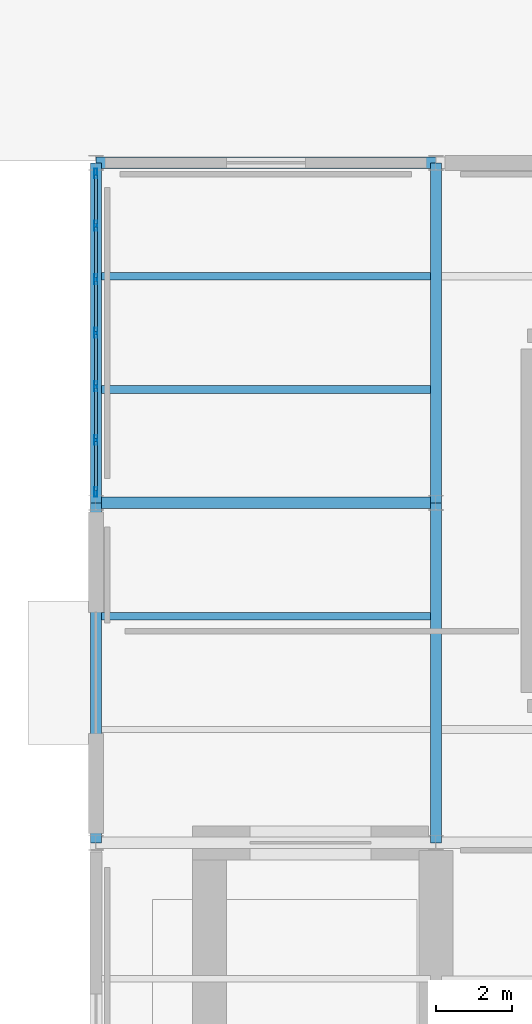
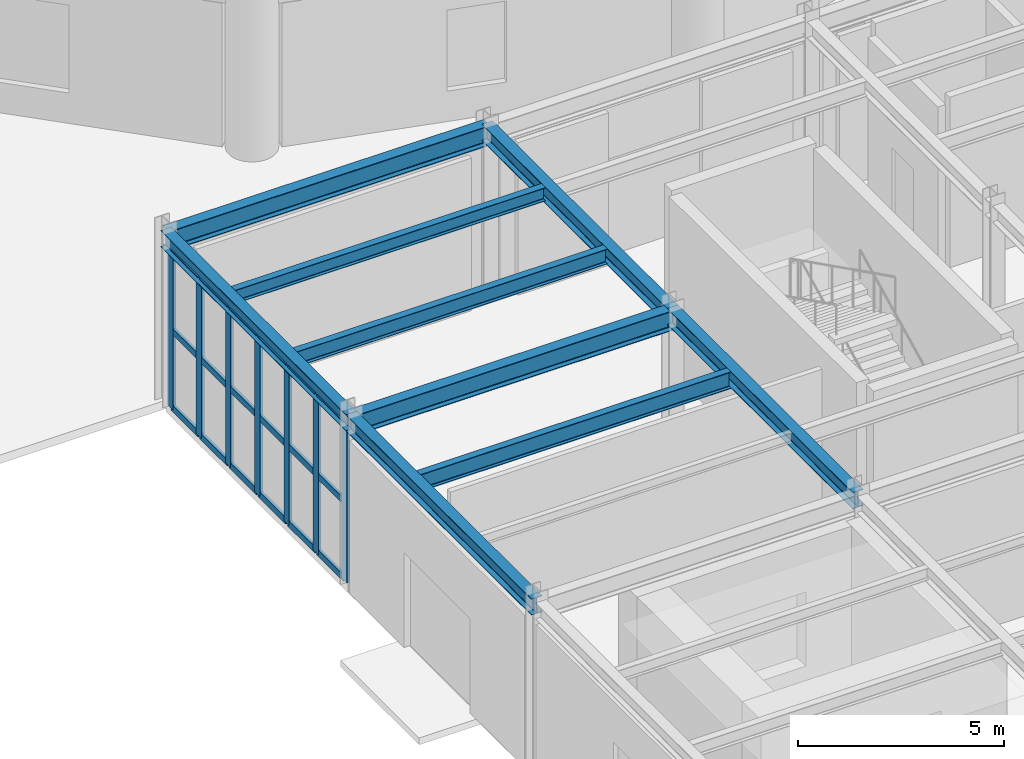
# One storey, part 29 of 140: 25 members, 9 beams, 1 element without a shape of its own.
"""IFC4 building model written with IfcOpenShell, lengths in metres."""

from ifc_helpers import new_model, si_unit, direction, frame, origin, origin_2d, place, context, subcontext, project, spatial, hollow_rectangle, i_section, extrude, material, material_profile, profile_set, type_object, element, aggregate, save


model = new_model("IFC4")

# Units and contexts
model_context = context("Model", 3, precision=1e-05, world=origin(), true_north=direction((0.0, 1.0)))
body_context = subcontext(model_context, "Body", "Model", "MODEL_VIEW")
ifc_project = project(units=[si_unit("LENGTHUNIT", "METRE"), si_unit("AREAUNIT", "SQUARE_METRE"), si_unit("VOLUMEUNIT", "CUBIC_METRE"), si_unit("PLANEANGLEUNIT", "RADIAN"), si_unit("MASSUNIT", "GRAM", prefix="KILO")], contexts=[model_context])

# Site, building, storey
site_placement = place(None, origin())
site = spatial("IfcSite", under=ifc_project, at=site_placement, CompositionType="ELEMENT")
building_placement = place(site_placement, origin())
building = spatial("IfcBuilding", under=site, at=building_placement, Name="Haizhuo Lancet Aquarium", CompositionType="ELEMENT")
storey_placement = place(building_placement, origin())
storey = spatial("IfcBuildingStorey", under=building, at=storey_placement, Name="L00", CompositionType="ELEMENT", Elevation=0.0)

# Beams
ifc_material_1 = material(Name="Steel S355", Category="steel")
ifc_material_profile_1 = material_profile(ifc_material_1, i_section(OverallWidth=0.300048828125, OverallDepth=0.488037109375, WebThickness=0.010986328125, FlangeThickness=0.01806640625, FilletRadius=0.02392578125, at=origin_2d()), Name="HM 488x300x11x18")
ifc_profile_set_1 = profile_set([ifc_material_profile_1], Name="Steel S355")
beam_type_1 = type_object("IfcBeamType", Name="BM-ST-HM488", PredefinedType="BEAM", material=ifc_profile_set_1)
for number, where, z_axis, x_axis, name in (
    (1, (-18.0, -45.0, 4.8759765625), (0.0, 1.0, 0.0), (-1.0, 0.0, 0.0), "L00 V4 primary girder BM-L00-V4-003"),
    (2, (-18.0, -36.0, 4.8759765625), (0.0, 1.0, 0.0), (-1.0, 0.0, 0.0), "L00 V4 primary girder BM-L00-V4-005"),
    (3, (-9.0, -45.0, 4.8759765625), (0.0, 1.0, 0.0), (-1.0, 0.0, 0.0), "L00 V4 primary girder BM-L00-V4-009"),
    (4, (-9.0, -36.0, 4.8759765625), (0.0, 1.0, 0.0), (-1.0, 0.0, 0.0), "L00 V4 primary girder BM-L00-V4-011"),
):
    element("IfcBeam", number, at=place(storey_placement, frame(where, z_axis=z_axis, x_axis=x_axis)), inside=storey, type_object=beam_type_1, Name=name, PredefinedType="BEAM", context=body_context, shape_type="SweptSolid", body=[
        extrude(i_section(OverallWidth=0.300048828125, OverallDepth=0.488037109375, WebThickness=0.010986328125, FlangeThickness=0.01806640625, FilletRadius=0.02392578125, at=origin_2d()), origin(), (0.0, 0.0, 1.0), 9.0),
    ])
ifc_material_profile_2 = material_profile(ifc_material_1, i_section(OverallWidth=0.300048828125, OverallDepth=0.587890625, WebThickness=0.011962890625, FlangeThickness=0.02001953125, FilletRadius=0.02587890625, at=origin_2d()), Name="HM 588x300x12x20")
ifc_profile_set_2 = profile_set([ifc_material_profile_2], Name="Steel S355")
beam_type_2 = type_object("IfcBeamType", Name="BM-ST-HM588", PredefinedType="BEAM", material=ifc_profile_set_2)
for number, where, z_axis, x_axis, name in (
    (5, (-18.0, -36.0, 4.825927734375), (1.0, 0.0, 0.0), (0.0, 1.0, 0.0), "L00 V4 primary girder BM-L00-V4-006"),
    (6, (-18.0, -27.0, 4.825927734375), (1.0, 0.0, 0.0), (0.0, 1.0, 0.0), "L00 V4 primary girder BM-L00-V4-007"),
):
    element("IfcBeam", number, at=place(storey_placement, frame(where, z_axis=z_axis, x_axis=x_axis)), inside=storey, type_object=beam_type_2, Name=name, PredefinedType="BEAM", context=body_context, shape_type="SweptSolid", body=[
        extrude(i_section(OverallWidth=0.300048828125, OverallDepth=0.587890625, WebThickness=0.011962890625, FlangeThickness=0.02001953125, FilletRadius=0.02587890625, at=origin_2d()), origin(), (0.0, 0.0, 1.0), 9.0),
    ])

# Curtain wall, members
ifc_material_2 = material(Name="Aluminium 6063-T6", Category="aluminium")
curtain_wall_type = type_object("IfcCurtainWallType", Name="CWO-8510x4630", PredefinedType="NOTDEFINED", material=ifc_material_2)
curtain_wall_placement = place(storey_placement, origin())
curtain_wall = element("IfcCurtainWall", 7, at=curtain_wall_placement, inside=storey, type_object=curtain_wall_type, Name="L00 curtain wall CW-V4-L00-090", PredefinedType="NOTDEFINED")
ifc_material_profile_3 = material_profile(ifc_material_2, hollow_rectangle(XDim=0.080078125, YDim=0.260009765625, WallThickness=0.0048828125, at=origin_2d()), Name="ALU-M 80x260x5")
ifc_profile_set_3 = profile_set([ifc_material_profile_3], Name="Aluminium 6063-T6")
member_type_1 = type_object("IfcMemberType", Name="CW-MUL-3", PredefinedType="MULLION", material=ifc_profile_set_3)
member_1_placement = place(storey_placement, frame((-18.0, -35.715087890625, 0.0), z_axis=(0.0, 0.0, 1.0), x_axis=(-1.0, 0.0, 0.0)))
member_1 = element("IfcMember", 8, at=member_1_placement, type_object=member_type_1, Name="CWO-85x46 mullion 1", PredefinedType="MULLION", context=body_context, shape_type="SweptSolid", body=[
    extrude(hollow_rectangle(XDim=0.080078125, YDim=0.260009765625, WallThickness=0.0048828125, at=origin_2d()), origin(), (0.0, 0.0, 1.0), 4.632080078125),
])
member_2_placement = place(storey_placement, frame((-18.0, -34.3369140625, 0.0), z_axis=(0.0, 0.0, 1.0), x_axis=(-1.0, 0.0, 0.0)))
member_2 = element("IfcMember", 9, at=member_2_placement, type_object=member_type_1, Name="CWO-85x46 mullion 2", PredefinedType="MULLION", context=body_context, shape_type="SweptSolid", body=[
    extrude(hollow_rectangle(XDim=0.080078125, YDim=0.260009765625, WallThickness=0.0048828125, at=origin_2d()), origin(), (0.0, 0.0, 1.0), 4.632080078125),
])
member_3_placement = place(storey_placement, frame((-18.0, -32.91796875, 0.0), z_axis=(0.0, 0.0, 1.0), x_axis=(-1.0, 0.0, 0.0)))
member_3 = element("IfcMember", 10, at=member_3_placement, type_object=member_type_1, Name="CWO-85x46 mullion 3", PredefinedType="MULLION", context=body_context, shape_type="SweptSolid", body=[
    extrude(hollow_rectangle(XDim=0.080078125, YDim=0.260009765625, WallThickness=0.0048828125, at=origin_2d()), origin(), (0.0, 0.0, 1.0), 4.632080078125),
])
member_4_placement = place(storey_placement, frame((-18.0, -31.5, 0.0), z_axis=(0.0, 0.0, 1.0), x_axis=(-1.0, 0.0, 0.0)))
member_4 = element("IfcMember", 11, at=member_4_placement, type_object=member_type_1, Name="CWO-85x46 mullion 4", PredefinedType="MULLION", context=body_context, shape_type="SweptSolid", body=[
    extrude(hollow_rectangle(XDim=0.080078125, YDim=0.260009765625, WallThickness=0.0048828125, at=origin_2d()), origin(), (0.0, 0.0, 1.0), 4.632080078125),
])
member_5_placement = place(storey_placement, frame((-18.0, -30.08203125, 0.0), z_axis=(0.0, 0.0, 1.0), x_axis=(-1.0, 0.0, 0.0)))
member_5 = element("IfcMember", 12, at=member_5_placement, type_object=member_type_1, Name="CWO-85x46 mullion 5", PredefinedType="MULLION", context=body_context, shape_type="SweptSolid", body=[
    extrude(hollow_rectangle(XDim=0.080078125, YDim=0.260009765625, WallThickness=0.0048828125, at=origin_2d()), origin(), (0.0, 0.0, 1.0), 4.632080078125),
])
member_6_placement = place(storey_placement, frame((-18.0, -28.6630859375, 0.0), z_axis=(0.0, 0.0, 1.0), x_axis=(-1.0, 0.0, 0.0)))
member_6 = element("IfcMember", 13, at=member_6_placement, type_object=member_type_1, Name="CWO-85x46 mullion 6", PredefinedType="MULLION", context=body_context, shape_type="SweptSolid", body=[
    extrude(hollow_rectangle(XDim=0.080078125, YDim=0.260009765625, WallThickness=0.0048828125, at=origin_2d()), origin(), (0.0, 0.0, 1.0), 4.632080078125),
])
member_7_placement = place(storey_placement, frame((-18.0, -27.284912109375, 0.0), z_axis=(0.0, 0.0, 1.0), x_axis=(-1.0, 0.0, 0.0)))
member_7 = element("IfcMember", 14, at=member_7_placement, type_object=member_type_1, Name="CWO-85x46 mullion 7", PredefinedType="MULLION", context=body_context, shape_type="SweptSolid", body=[
    extrude(hollow_rectangle(XDim=0.080078125, YDim=0.260009765625, WallThickness=0.0048828125, at=origin_2d()), origin(), (0.0, 0.0, 1.0), 4.632080078125),
])
ifc_material_profile_4 = material_profile(ifc_material_2, hollow_rectangle(XDim=0.080078125, YDim=0.18994140625, WallThickness=0.0048828125, at=origin_2d()), Name="ALU-T 80x190x5")
ifc_profile_set_4 = profile_set([ifc_material_profile_4], Name="Aluminium 6063-T6")
member_type_2 = type_object("IfcMemberType", Name="CW-TRN-3", PredefinedType="NOTDEFINED", material=ifc_profile_set_4)
member_8_placement = place(storey_placement, frame((-18.0, -35.675048828125, 0.0400390625), z_axis=(0.0, 1.0, 0.0), x_axis=(-1.0, 0.0, 0.0)))
member_8 = element("IfcMember", 15, at=member_8_placement, type_object=member_type_2, Name="CWO-85x46 transom 1.1", ObjectType="TRANSOM", PredefinedType="USERDEFINED", context=body_context, shape_type="SweptSolid", body=[
    extrude(hollow_rectangle(XDim=0.080078125, YDim=0.18994140625, WallThickness=0.0048828125, at=origin_2d()), origin(), (0.0, 0.0, 1.0), 1.298095703125),
])
member_9_placement = place(storey_placement, frame((-18.0, -35.675048828125, 2.31591796875), z_axis=(0.0, 1.0, 0.0), x_axis=(-1.0, 0.0, 0.0)))
member_9 = element("IfcMember", 16, at=member_9_placement, type_object=member_type_2, Name="CWO-85x46 transom 1.2", ObjectType="TRANSOM", PredefinedType="USERDEFINED", context=body_context, shape_type="SweptSolid", body=[
    extrude(hollow_rectangle(XDim=0.080078125, YDim=0.18994140625, WallThickness=0.0048828125, at=origin_2d()), origin(), (0.0, 0.0, 1.0), 1.298095703125),
])
member_10_placement = place(storey_placement, frame((-18.0, -35.675048828125, 4.592041015625), z_axis=(0.0, 1.0, 0.0), x_axis=(-1.0, 0.0, 0.0)))
member_10 = element("IfcMember", 17, at=member_10_placement, type_object=member_type_2, Name="CWO-85x46 transom 1.3", ObjectType="TRANSOM", PredefinedType="USERDEFINED", context=body_context, shape_type="SweptSolid", body=[
    extrude(hollow_rectangle(XDim=0.080078125, YDim=0.18994140625, WallThickness=0.0048828125, at=origin_2d()), origin(), (0.0, 0.0, 1.0), 1.298095703125),
])
member_11_placement = place(storey_placement, frame((-18.0, -34.297119140625, 0.0400390625), z_axis=(0.0, 1.0, 0.0), x_axis=(-1.0, 0.0, 0.0)))
member_11 = element("IfcMember", 18, at=member_11_placement, type_object=member_type_2, Name="CWO-85x46 transom 2.1", ObjectType="TRANSOM", PredefinedType="USERDEFINED", context=body_context, shape_type="SweptSolid", body=[
    extrude(hollow_rectangle(XDim=0.080078125, YDim=0.18994140625, WallThickness=0.0048828125, at=origin_2d()), origin(), (0.0, 0.0, 1.0), 1.339111328125),
])
member_12_placement = place(storey_placement, frame((-18.0, -34.297119140625, 2.31591796875), z_axis=(0.0, 1.0, 0.0), x_axis=(-1.0, 0.0, 0.0)))
member_12 = element("IfcMember", 19, at=member_12_placement, type_object=member_type_2, Name="CWO-85x46 transom 2.2", ObjectType="TRANSOM", PredefinedType="USERDEFINED", context=body_context, shape_type="SweptSolid", body=[
    extrude(hollow_rectangle(XDim=0.080078125, YDim=0.18994140625, WallThickness=0.0048828125, at=origin_2d()), origin(), (0.0, 0.0, 1.0), 1.339111328125),
])
member_13_placement = place(storey_placement, frame((-18.0, -34.297119140625, 4.592041015625), z_axis=(0.0, 1.0, 0.0), x_axis=(-1.0, 0.0, 0.0)))
member_13 = element("IfcMember", 20, at=member_13_placement, type_object=member_type_2, Name="CWO-85x46 transom 2.3", ObjectType="TRANSOM", PredefinedType="USERDEFINED", context=body_context, shape_type="SweptSolid", body=[
    extrude(hollow_rectangle(XDim=0.080078125, YDim=0.18994140625, WallThickness=0.0048828125, at=origin_2d()), origin(), (0.0, 0.0, 1.0), 1.339111328125),
])
member_14_placement = place(storey_placement, frame((-18.0, -32.8779296875, 0.0400390625), z_axis=(0.0, 1.0, 0.0), x_axis=(-1.0, 0.0, 0.0)))
member_14 = element("IfcMember", 21, at=member_14_placement, type_object=member_type_2, Name="CWO-85x46 transom 3.1", ObjectType="TRANSOM", PredefinedType="USERDEFINED", context=body_context, shape_type="SweptSolid", body=[
    extrude(hollow_rectangle(XDim=0.080078125, YDim=0.18994140625, WallThickness=0.0048828125, at=origin_2d()), origin(), (0.0, 0.0, 1.0), 1.337890625),
])
member_15_placement = place(storey_placement, frame((-18.0, -32.8779296875, 2.31591796875), z_axis=(0.0, 1.0, 0.0), x_axis=(-1.0, 0.0, 0.0)))
member_15 = element("IfcMember", 22, at=member_15_placement, type_object=member_type_2, Name="CWO-85x46 transom 3.2", ObjectType="TRANSOM", PredefinedType="USERDEFINED", context=body_context, shape_type="SweptSolid", body=[
    extrude(hollow_rectangle(XDim=0.080078125, YDim=0.18994140625, WallThickness=0.0048828125, at=origin_2d()), origin(), (0.0, 0.0, 1.0), 1.337890625),
])
member_16_placement = place(storey_placement, frame((-18.0, -32.8779296875, 4.592041015625), z_axis=(0.0, 1.0, 0.0), x_axis=(-1.0, 0.0, 0.0)))
member_16 = element("IfcMember", 23, at=member_16_placement, type_object=member_type_2, Name="CWO-85x46 transom 3.3", ObjectType="TRANSOM", PredefinedType="USERDEFINED", context=body_context, shape_type="SweptSolid", body=[
    extrude(hollow_rectangle(XDim=0.080078125, YDim=0.18994140625, WallThickness=0.0048828125, at=origin_2d()), origin(), (0.0, 0.0, 1.0), 1.337890625),
])
member_17_placement = place(storey_placement, frame((-18.0, -31.4599609375, 0.0400390625), z_axis=(0.0, 1.0, 0.0), x_axis=(-1.0, 0.0, 0.0)))
member_17 = element("IfcMember", 24, at=member_17_placement, type_object=member_type_2, Name="CWO-85x46 transom 4.1", ObjectType="TRANSOM", PredefinedType="USERDEFINED", context=body_context, shape_type="SweptSolid", body=[
    extrude(hollow_rectangle(XDim=0.080078125, YDim=0.18994140625, WallThickness=0.0048828125, at=origin_2d()), origin(), (0.0, 0.0, 1.0), 1.337890625),
])
member_18_placement = place(storey_placement, frame((-18.0, -31.4599609375, 2.31591796875), z_axis=(0.0, 1.0, 0.0), x_axis=(-1.0, 0.0, 0.0)))
member_18 = element("IfcMember", 25, at=member_18_placement, type_object=member_type_2, Name="CWO-85x46 transom 4.2", ObjectType="TRANSOM", PredefinedType="USERDEFINED", context=body_context, shape_type="SweptSolid", body=[
    extrude(hollow_rectangle(XDim=0.080078125, YDim=0.18994140625, WallThickness=0.0048828125, at=origin_2d()), origin(), (0.0, 0.0, 1.0), 1.337890625),
])
member_19_placement = place(storey_placement, frame((-18.0, -31.4599609375, 4.592041015625), z_axis=(0.0, 1.0, 0.0), x_axis=(-1.0, 0.0, 0.0)))
member_19 = element("IfcMember", 26, at=member_19_placement, type_object=member_type_2, Name="CWO-85x46 transom 4.3", ObjectType="TRANSOM", PredefinedType="USERDEFINED", context=body_context, shape_type="SweptSolid", body=[
    extrude(hollow_rectangle(XDim=0.080078125, YDim=0.18994140625, WallThickness=0.0048828125, at=origin_2d()), origin(), (0.0, 0.0, 1.0), 1.337890625),
])
member_20_placement = place(storey_placement, frame((-18.0, -30.0419921875, 0.0400390625), z_axis=(0.0, 1.0, 0.0), x_axis=(-1.0, 0.0, 0.0)))
member_20 = element("IfcMember", 27, at=member_20_placement, type_object=member_type_2, Name="CWO-85x46 transom 5.1", ObjectType="TRANSOM", PredefinedType="USERDEFINED", context=body_context, shape_type="SweptSolid", body=[
    extrude(hollow_rectangle(XDim=0.080078125, YDim=0.18994140625, WallThickness=0.0048828125, at=origin_2d()), origin(), (0.0, 0.0, 1.0), 1.339111328125),
])
member_21_placement = place(storey_placement, frame((-18.0, -30.0419921875, 2.31591796875), z_axis=(0.0, 1.0, 0.0), x_axis=(-1.0, 0.0, 0.0)))
member_21 = element("IfcMember", 28, at=member_21_placement, type_object=member_type_2, Name="CWO-85x46 transom 5.2", ObjectType="TRANSOM", PredefinedType="USERDEFINED", context=body_context, shape_type="SweptSolid", body=[
    extrude(hollow_rectangle(XDim=0.080078125, YDim=0.18994140625, WallThickness=0.0048828125, at=origin_2d()), origin(), (0.0, 0.0, 1.0), 1.339111328125),
])
member_22_placement = place(storey_placement, frame((-18.0, -30.0419921875, 4.592041015625), z_axis=(0.0, 1.0, 0.0), x_axis=(-1.0, 0.0, 0.0)))
member_22 = element("IfcMember", 29, at=member_22_placement, type_object=member_type_2, Name="CWO-85x46 transom 5.3", ObjectType="TRANSOM", PredefinedType="USERDEFINED", context=body_context, shape_type="SweptSolid", body=[
    extrude(hollow_rectangle(XDim=0.080078125, YDim=0.18994140625, WallThickness=0.0048828125, at=origin_2d()), origin(), (0.0, 0.0, 1.0), 1.339111328125),
])
member_23_placement = place(storey_placement, frame((-18.0, -28.623046875, 0.0400390625), z_axis=(0.0, 1.0, 0.0), x_axis=(-1.0, 0.0, 0.0)))
member_23 = element("IfcMember", 30, at=member_23_placement, type_object=member_type_2, Name="CWO-85x46 transom 6.1", ObjectType="TRANSOM", PredefinedType="USERDEFINED", context=body_context, shape_type="SweptSolid", body=[
    extrude(hollow_rectangle(XDim=0.080078125, YDim=0.18994140625, WallThickness=0.0048828125, at=origin_2d()), origin(), (0.0, 0.0, 1.0), 1.298095703125),
])
member_24_placement = place(storey_placement, frame((-18.0, -28.623046875, 2.31591796875), z_axis=(0.0, 1.0, 0.0), x_axis=(-1.0, 0.0, 0.0)))
member_24 = element("IfcMember", 31, at=member_24_placement, type_object=member_type_2, Name="CWO-85x46 transom 6.2", ObjectType="TRANSOM", PredefinedType="USERDEFINED", context=body_context, shape_type="SweptSolid", body=[
    extrude(hollow_rectangle(XDim=0.080078125, YDim=0.18994140625, WallThickness=0.0048828125, at=origin_2d()), origin(), (0.0, 0.0, 1.0), 1.298095703125),
])
member_25_placement = place(storey_placement, frame((-18.0, -28.623046875, 4.592041015625), z_axis=(0.0, 1.0, 0.0), x_axis=(-1.0, 0.0, 0.0)))
member_25 = element("IfcMember", 32, at=member_25_placement, type_object=member_type_2, Name="CWO-85x46 transom 6.3", ObjectType="TRANSOM", PredefinedType="USERDEFINED", context=body_context, shape_type="SweptSolid", body=[
    extrude(hollow_rectangle(XDim=0.080078125, YDim=0.18994140625, WallThickness=0.0048828125, at=origin_2d()), origin(), (0.0, 0.0, 1.0), 1.298095703125),
])
aggregate(curtain_wall, [member_1, member_2, member_3, member_4, member_5, member_6, member_7, member_8, member_9, member_10, member_11, member_12, member_13, member_14, member_15, member_16, member_17, member_18, member_19, member_20, member_21, member_22, member_23, member_24, member_25])

# Beams
ifc_material_profile_5 = material_profile(ifc_material_1, i_section(OverallWidth=0.199951171875, OverallDepth=0.39990234375, WebThickness=0.008056640625, FlangeThickness=0.012939453125, FilletRadius=0.01611328125, at=origin_2d()), Name="HN 400x200x8x13")
ifc_profile_set_5 = profile_set([ifc_material_profile_5], Name="Steel S355")
beam_type_3 = type_object("IfcBeamType", Name="JST-ST-HN400", PredefinedType="JOIST", material=ifc_profile_set_5)
beam_1_placement = place(storey_placement, frame((-17.85009765625, -30.0, 4.919921875), z_axis=(1.0, 0.0, 0.0), x_axis=(0.0, 1.0, 0.0)))
element("IfcBeam", 33, at=beam_1_placement, inside=storey, type_object=beam_type_3, Name="L00 V4 secondary floor joist 6", PredefinedType="JOIST", context=body_context, shape_type="SweptSolid", body=[
    extrude(i_section(OverallWidth=0.199951171875, OverallDepth=0.39990234375, WebThickness=0.008056640625, FlangeThickness=0.012939453125, FilletRadius=0.01611328125, at=origin_2d()), origin(), (0.0, 0.0, 1.0), 8.7001953125),
])
ifc_material_profile_6 = material_profile(ifc_material_1, i_section(OverallWidth=0.199951171875, OverallDepth=0.449951171875, WebThickness=0.009033203125, FlangeThickness=0.013916015625, FilletRadius=0.01806640625, at=origin_2d()), Name="HN 450x200x9x14")
ifc_profile_set_6 = profile_set([ifc_material_profile_6], Name="Steel S355")
beam_type_4 = type_object("IfcBeamType", Name="JST-ST-HN450", PredefinedType="JOIST", material=ifc_profile_set_6)
beam_2_placement = place(storey_placement, frame((-17.85009765625, -33.0, 4.89501953125), z_axis=(1.0, 0.0, 0.0), x_axis=(0.0, 1.0, 0.0)))
element("IfcBeam", 34, at=beam_2_placement, inside=storey, type_object=beam_type_4, Name="L00 V4 secondary floor joist 5", PredefinedType="JOIST", context=body_context, shape_type="SweptSolid", body=[
    extrude(i_section(OverallWidth=0.199951171875, OverallDepth=0.449951171875, WebThickness=0.009033203125, FlangeThickness=0.013916015625, FilletRadius=0.01806640625, at=origin_2d()), origin(), (0.0, 0.0, 1.0), 8.7001953125),
])
ifc_material_profile_7 = material_profile(ifc_material_1, i_section(OverallWidth=0.199951171875, OverallDepth=0.5, WebThickness=0.010009765625, FlangeThickness=0.01611328125, FilletRadius=0.02001953125, at=origin_2d()), Name="HN 500x200x10x16")
ifc_profile_set_7 = profile_set([ifc_material_profile_7], Name="Steel S355")
beam_type_5 = type_object("IfcBeamType", Name="JST-ST-HN500", PredefinedType="JOIST", material=ifc_profile_set_7)
beam_3_placement = place(storey_placement, frame((-17.85009765625, -39.0, 4.8701171875), z_axis=(1.0, 0.0, 0.0), x_axis=(0.0, 1.0, 0.0)))
element("IfcBeam", 35, at=beam_3_placement, inside=storey, type_object=beam_type_5, Name="L00 V4 secondary floor joist 4", PredefinedType="JOIST", context=body_context, shape_type="SweptSolid", body=[
    extrude(i_section(OverallWidth=0.199951171875, OverallDepth=0.5, WebThickness=0.010009765625, FlangeThickness=0.01611328125, FilletRadius=0.02001953125, at=origin_2d()), origin(), (0.0, 0.0, 1.0), 8.7001953125),
])

save(model, "model.ifc")
